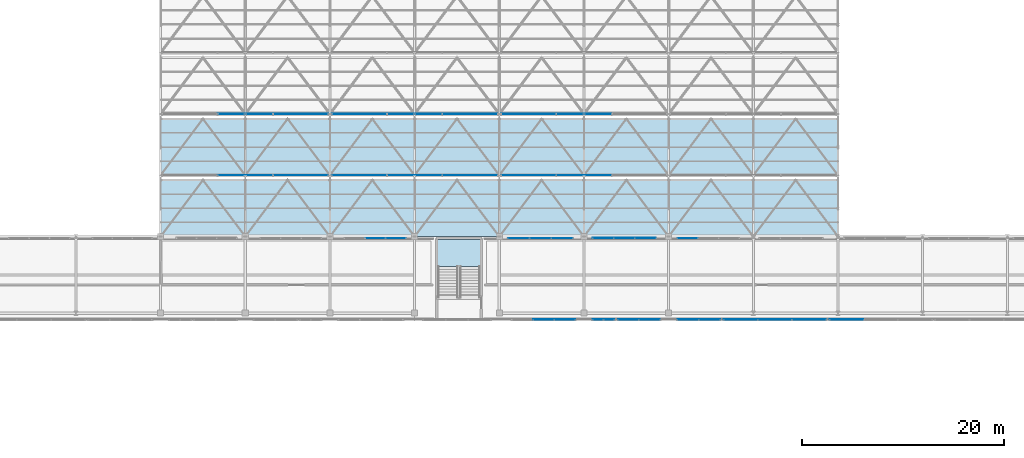
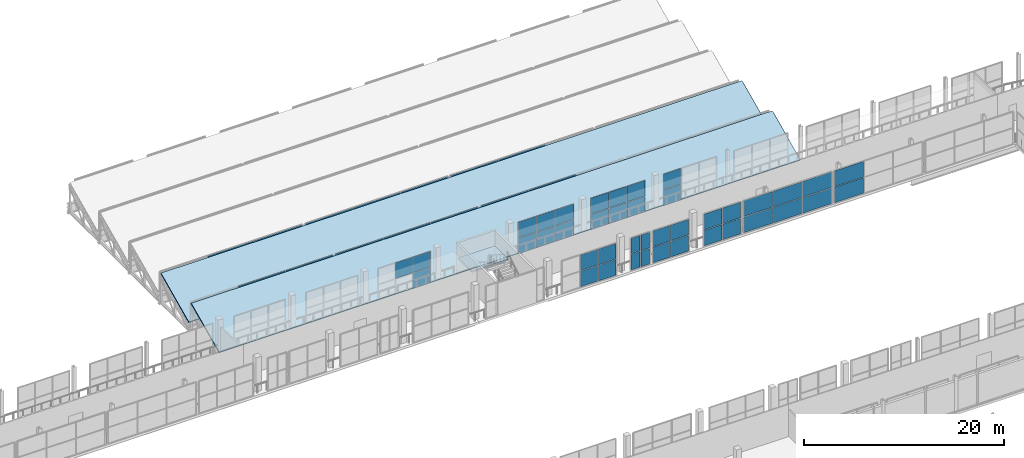
# One storey, part 171 of 217: 55 plates, 3 slabs, 17 elements without a shape of their own.
"""IFC4 building model written with IfcOpenShell, lengths in metres."""

import ifcopenshell
import ifcopenshell.guid

model = None  # the IFC model being written
_history = None  # IfcOwnerHistory: only IFC2X3 demands one
_inside = {}  # id of a spatial element -> (the spatial element, [elements in it])
_under = {}  # id of a project, library or spatial element -> (it, [spatial elements below it])
_declared = {}  # id of a project -> (the project, [libraries it declares])
_typed = {}  # id of a type object -> (the type object, [elements of that type])
_made_of = {}  # id of a material, layer set ... -> (it, [elements and type objects made of it])


def new_model(schema):
    """Start an empty IFC model of exactly this schema.

    Asked for "IFC4X3", IfcOpenShell would pick the latest addendum, in which some entities
    have other attributes; the version numbers below select the first issue.
    IFC2X3 requires an IfcOwnerHistory on every rooted entity: one is made here for all.
    """
    global model, _history
    if schema == "IFC4X3":
        model = ifcopenshell.file(schema_version=(4, 3, 0, 0))
    else:
        model = ifcopenshell.file(schema=schema)
    _inside.clear()
    _under.clear()
    _declared.clear()
    _typed.clear()
    _made_of.clear()
    _history = None
    if model.schema == "IFC2X3":
        org = make("IfcOrganization", Name="unknown")
        user = make(
            "IfcPersonAndOrganization",
            ThePerson=make("IfcPerson", FamilyName="unknown"),
            TheOrganization=org,
        )
        app = make(
            "IfcApplication",
            ApplicationDeveloper=org,
            Version="unknown",
            ApplicationFullName="unknown",
            ApplicationIdentifier="unknown",
        )
        _history = make(
            "IfcOwnerHistory",
            OwningUser=user,
            OwningApplication=app,
            ChangeAction="ADDED",
            CreationDate=0,
        )
    return model


def make(cls, **values):
    """One entity of the class cls with the attributes given. An attribute that is None is left unset."""
    return model.create_entity(
        cls, **{name: value for name, value in values.items() if value is not None}
    )


def rooted(cls, **values):
    """An entity with a GlobalId (a new one), such as an element, a storey or a relation."""
    return make(cls, GlobalId=ifcopenshell.guid.new(), OwnerHistory=_history, **values)


def si_unit(unit_type, name, prefix=None):
    """IfcSIUnit, for example si_unit("LENGTHUNIT", "METRE", prefix="MILLI")."""
    return make("IfcSIUnit", UnitType=unit_type, Prefix=prefix, Name=name)


def assignment(units):
    """IfcUnitAssignment: the units of a project."""
    return None if units is None else make("IfcUnitAssignment", Units=units)


def point(xyz):
    """IfcCartesianPoint."""
    return None if xyz is None else make("IfcCartesianPoint", Coordinates=xyz)


def direction(xyz):
    """IfcDirection."""
    return None if xyz is None else make("IfcDirection", DirectionRatios=xyz)


def frame(location, z_axis=None, x_axis=None):
    """IfcAxis2Placement3D, a coordinate frame: its origin and axes. An axis left out is left unset."""
    return make(
        "IfcAxis2Placement3D",
        Location=point(location),
        Axis=direction(z_axis),
        RefDirection=direction(x_axis),
    )


def frame_2d(location, x_axis=None):
    """IfcAxis2Placement2D, a coordinate frame in the plane: its origin and x axis."""
    return make(
        "IfcAxis2Placement2D", Location=point(location), RefDirection=direction(x_axis)
    )


def origin():
    """The frame at (0, 0, 0) with its axes left unset."""
    return frame((0.0, 0.0, 0.0))


def origin_2d():
    """The frame at (0, 0) in the plane with its x axis left unset."""
    return frame_2d((0.0, 0.0))


def place(relative_to, where):
    """IfcLocalPlacement: puts the frame where relative to a parent placement (None: the world)."""
    return make(
        "IfcLocalPlacement", PlacementRelTo=relative_to, RelativePlacement=where
    )


def context(
    kind, dimensions, precision=None, world=None, true_north=None, identifier=None
):
    """IfcGeometricRepresentationContext, for example the 3D "Model" context."""
    return make(
        "IfcGeometricRepresentationContext",
        ContextIdentifier=identifier,
        ContextType=kind,
        CoordinateSpaceDimension=dimensions,
        Precision=precision,
        WorldCoordinateSystem=world,
        TrueNorth=true_north,
    )


def subcontext(parent, identifier, kind, view, scale=None):
    """IfcGeometricRepresentationSubContext, for example "Body" below "Model"."""
    return make(
        "IfcGeometricRepresentationSubContext",
        ContextIdentifier=identifier,
        ContextType=kind,
        ParentContext=parent,
        TargetScale=scale,
        TargetView=view,
    )


def project(units=None, contexts=None):
    """IfcProject with its units and contexts."""
    return rooted(
        "IfcProject",
        Name="project",
        RepresentationContexts=contexts,
        UnitsInContext=assignment(units),
    )


def spatial(cls, under=None, at=None, **own):
    """A site, building, storey or space (cls), placed at a placement, below another one or the project."""
    s = rooted(cls, ObjectPlacement=at, **own)
    if under is not None:
        _under.setdefault(under.id(), (under, []))[1].append(s)
    return s


def polyline(points):
    """IfcPolyline through the points."""
    return make("IfcPolyline", Points=[point(p) for p in points])


def profile(cls, at=None, kind="AREA", **sizes):
    """A parametric profile (cls). Its sizes go by their IFC names, for example OverallWidth=200.0."""
    return make(cls, ProfileType=kind, Position=at, **sizes)


def rectangle(**sizes):
    """IfcRectangleProfileDef."""
    return profile("IfcRectangleProfileDef", **sizes)


def outline(outer, holes=None, kind="AREA"):
    """IfcArbitraryClosedProfileDef: a profile drawn as a closed curve; with holes, ...WithVoids."""
    if holes is None:
        return make("IfcArbitraryClosedProfileDef", ProfileType=kind, OuterCurve=outer)
    return make(
        "IfcArbitraryProfileDefWithVoids",
        ProfileType=kind,
        OuterCurve=outer,
        InnerCurves=holes,
    )


def extrude(swept, where, along, depth):
    """IfcExtrudedAreaSolid: the profile swept, set in the frame where, extruded along a direction by depth."""
    return make(
        "IfcExtrudedAreaSolid",
        SweptArea=swept,
        Position=where,
        ExtrudedDirection=direction(along),
        Depth=depth,
    )


def shape(context_of_items, identifier, shape_type, items):
    """IfcShapeRepresentation: the items that make up one representation, for example the "Body"."""
    return make(
        "IfcShapeRepresentation",
        ContextOfItems=context_of_items,
        RepresentationIdentifier=identifier,
        RepresentationType=shape_type,
        Items=items,
    )


def material(Name=None, Category=None):
    """IfcMaterial."""
    return make("IfcMaterial", Name=Name, Category=Category)


def layer(
    of_material, thickness, ventilated=None, Name=None, Category=None, Priority=None
):
    """IfcMaterialLayer: one layer of a wall or slab, of a material (None: an air gap)."""
    return make(
        "IfcMaterialLayer",
        Material=of_material,
        LayerThickness=thickness,
        IsVentilated=ventilated,
        Name=Name,
        Category=Category,
        Priority=Priority,
    )


def layer_set(layers, Name=None):
    """IfcMaterialLayerSet."""
    return make("IfcMaterialLayerSet", MaterialLayers=layers, LayerSetName=Name)


def made_of(thing, what):
    """Note that an element or type object is made of a material, layer set ...; save() writes the relation."""
    if what is not None:
        _made_of.setdefault(what.id(), (what, []))[1].append(thing)
    return thing


def type_object(cls, material=None, **own):
    """A type object (cls), such as IfcWallType, which elements share."""
    return made_of(rooted(cls, **own), material)


def element(
    cls,
    number,
    at=None,
    inside=None,
    cuts=None,
    type_object=None,
    material=None,
    context=None,
    identifier="Body",
    shape_type=None,
    held_by="IfcProductDefinitionShape",
    body=None,
    shapes=None,
    **own,
):
    """One element of the class cls, such as IfcWall. Its Tag is "e" and its number.

    at: its placement. inside: the storey or other place that contains it. cuts: it is an
    opening in that element (IfcRelVoidsElement). A single representation is given by context,
    identifier, shape_type and body (its items); several are given by shapes. held_by: the class
    of the entity that holds the representations. save() writes the other relations.
    """
    e = rooted(cls, Tag="e%d" % number, ObjectPlacement=at, **own)
    if body is not None:
        shapes = [shape(context, identifier, shape_type, body)]
    if shapes is not None:
        e.Representation = make(held_by, Representations=shapes)
    if inside is not None:
        _inside.setdefault(inside.id(), (inside, []))[1].append(e)
    if cuts is not None:
        rooted(
            "IfcRelVoidsElement", RelatingBuildingElement=cuts, RelatedOpeningElement=e
        )
    if type_object is not None:
        _typed.setdefault(type_object.id(), (type_object, []))[1].append(e)
    return made_of(e, material)


def aggregate(whole, parts):
    """IfcRelAggregates: a whole, such as a stair, and the parts it consists of."""
    return rooted("IfcRelAggregates", RelatingObject=whole, RelatedObjects=parts)


def save(model, path):
    """Write the relations noted so far, then the file.

    IfcRelAggregates (storeys below a building ...), IfcRelContainedInSpatialStructure (elements
    in a storey), IfcRelDefinesByType, IfcRelAssociatesMaterial and IfcRelDeclares: one each for
    every whole, place, type object, material and project.
    """
    for whole, parts in _under.values():
        aggregate(whole, parts)
    for where, things in _inside.values():
        rooted(
            "IfcRelContainedInSpatialStructure",
            RelatedElements=things,
            RelatingStructure=where,
        )
    for kind, things in _typed.values():
        rooted("IfcRelDefinesByType", RelatedObjects=things, RelatingType=kind)
    for what, things in _made_of.values():
        rooted("IfcRelAssociatesMaterial", RelatedObjects=things, RelatingMaterial=what)
    for by, libraries in _declared.values():
        rooted("IfcRelDeclares", RelatingContext=by, RelatedDefinitions=libraries)
    model.write(path)


model = new_model("IFC4")

# Units and contexts
model_context = context("Model", 3, precision=1e-05, world=origin(), true_north=direction((0.0, 1.0)))
body_context = subcontext(model_context, "Body", "Model", "MODEL_VIEW")
ifc_project = project(units=[si_unit("LENGTHUNIT", "METRE"), si_unit("AREAUNIT", "SQUARE_METRE"), si_unit("VOLUMEUNIT", "CUBIC_METRE"), si_unit("PLANEANGLEUNIT", "RADIAN"), si_unit("MASSUNIT", "GRAM", prefix="KILO")], contexts=[model_context])

# Site, building, storey
site_placement = place(None, origin())
site = spatial("IfcSite", under=ifc_project, at=site_placement, CompositionType="ELEMENT")
building_placement = place(site_placement, origin())
building = spatial("IfcBuilding", under=site, at=building_placement, Name="Zuvorla Pavilion Media Centre", CompositionType="ELEMENT")
storey_placement = place(building_placement, frame((0.0, 0.0, 9.60009765625)))
storey = spatial("IfcBuildingStorey", under=building, at=storey_placement, Name="L02", CompositionType="ELEMENT", Elevation=9.60009765625)

# Curtain wall, plates
ifc_material_1 = material(Name="Unitised anodised aluminium and solar glass curtain wall", Category="aluminium")
curtain_wall_type_1 = type_object("IfcCurtainWallType", Name="CW-SYS-13", PredefinedType="USERDEFINED", material=ifc_material_1)
curtain_wall_1_placement = place(storey_placement, origin())
curtain_wall_1 = element("IfcCurtainWall", 1, at=curtain_wall_1_placement, inside=storey, type_object=curtain_wall_type_1, Name="L02 curtain wall CW13 18", ObjectType="CURTAIN WALL", PredefinedType="USERDEFINED")
ifc_material_2 = material(Name="Solar control double glazing", Category="glass")
ifc_layer_1 = layer(ifc_material_2, 0.028076171875)
ifc_layer_set_1 = layer_set([ifc_layer_1], Name="Solar control double glazing")
plate_type_1 = type_object("IfcPlateType", Name="CW-PNL-28", PredefinedType="CURTAIN_PANEL", material=ifc_layer_set_1)
plate_1_placement = place(storey_placement, frame((106.62255859375, 89.43994140625, 0.02978515625), z_axis=(0.0, 0.0, 1.0), x_axis=(-1.0, 0.0, 0.0)))
plate_1 = element("IfcPlate", 2, at=plate_1_placement, type_object=plate_type_1, Name="CW13 panel 1.1", PredefinedType="CURTAIN_PANEL", context=body_context, shape_type="SweptSolid", body=[
    extrude(rectangle(XDim=2.0888671875, YDim=0.028076171875, at=origin_2d()), origin(), (0.0, 0.0, 1.0), 1.9150390625),
])
plate_2_placement = place(storey_placement, frame((106.62255859375, 89.43994140625, 2.0048828125), z_axis=(0.0, 0.0, 1.0), x_axis=(-1.0, 0.0, 0.0)))
plate_2 = element("IfcPlate", 3, at=plate_2_placement, type_object=plate_type_1, Name="CW13 panel 1.2", PredefinedType="CURTAIN_PANEL", context=body_context, shape_type="SweptSolid", body=[
    extrude(rectangle(XDim=2.0888671875, YDim=0.028076171875, at=origin_2d()), origin(), (0.0, 0.0, 1.0), 1.9150390625),
])
plate_3_placement = place(storey_placement, frame((104.4736328125, 89.43994140625, 0.02978515625), z_axis=(0.0, 0.0, 1.0), x_axis=(-1.0, 0.0, 0.0)))
plate_3 = element("IfcPlate", 4, at=plate_3_placement, type_object=plate_type_1, Name="CW13 panel 2.1", PredefinedType="CURTAIN_PANEL", context=body_context, shape_type="SweptSolid", body=[
    extrude(rectangle(XDim=2.0888671875, YDim=0.028076171875, at=origin_2d()), origin(), (0.0, 0.0, 1.0), 1.9150390625),
])
plate_4_placement = place(storey_placement, frame((104.4736328125, 89.43994140625, 2.0048828125), z_axis=(0.0, 0.0, 1.0), x_axis=(-1.0, 0.0, 0.0)))
plate_4 = element("IfcPlate", 5, at=plate_4_placement, type_object=plate_type_1, Name="CW13 panel 2.2", PredefinedType="CURTAIN_PANEL", context=body_context, shape_type="SweptSolid", body=[
    extrude(rectangle(XDim=2.0888671875, YDim=0.028076171875, at=origin_2d()), origin(), (0.0, 0.0, 1.0), 1.9150390625),
])
plate_5_placement = place(storey_placement, frame((102.32470703125, 89.43994140625, 0.02978515625), z_axis=(0.0, 0.0, 1.0), x_axis=(-1.0, 0.0, 0.0)))
plate_5 = element("IfcPlate", 6, at=plate_5_placement, type_object=plate_type_1, Name="CW13 panel 3.1", PredefinedType="CURTAIN_PANEL", context=body_context, shape_type="SweptSolid", body=[
    extrude(rectangle(XDim=2.0888671875, YDim=0.028076171875, at=origin_2d()), origin(), (0.0, 0.0, 1.0), 1.9150390625),
])
plate_6_placement = place(storey_placement, frame((102.32470703125, 89.43994140625, 2.0048828125), z_axis=(0.0, 0.0, 1.0), x_axis=(-1.0, 0.0, 0.0)))
plate_6 = element("IfcPlate", 7, at=plate_6_placement, type_object=plate_type_1, Name="CW13 panel 3.2", PredefinedType="CURTAIN_PANEL", context=body_context, shape_type="SweptSolid", body=[
    extrude(rectangle(XDim=2.0888671875, YDim=0.028076171875, at=origin_2d()), origin(), (0.0, 0.0, 1.0), 1.9150390625),
])
aggregate(curtain_wall_1, [plate_1, plate_2, plate_3, plate_4, plate_5, plate_6])

curtain_wall_type_2 = type_object("IfcCurtainWallType", Name="CW-SYS-14", PredefinedType="USERDEFINED", material=ifc_material_1)
curtain_wall_2_placement = place(storey_placement, origin())
curtain_wall_2 = element("IfcCurtainWall", 8, at=curtain_wall_2_placement, inside=storey, type_object=curtain_wall_type_2, Name="L02 curtain wall CW14 19", ObjectType="CURTAIN WALL", PredefinedType="USERDEFINED")
plate_7_placement = place(storey_placement, frame((90.130615234375, 89.43994140625, 0.02978515625), z_axis=(0.0, 0.0, 1.0), x_axis=(-1.0, 0.0, 0.0)))
plate_7 = element("IfcPlate", 9, at=plate_7_placement, type_object=plate_type_1, Name="CW14 panel 1.1", PredefinedType="CURTAIN_PANEL", context=body_context, shape_type="SweptSolid", body=[
    extrude(rectangle(XDim=1.978271484375, YDim=0.028076171875, at=origin_2d()), origin(), (0.0, 0.0, 1.0), 1.9150390625),
])
plate_8_placement = place(storey_placement, frame((90.130615234375, 89.43994140625, 2.0048828125), z_axis=(0.0, 0.0, 1.0), x_axis=(-1.0, 0.0, 0.0)))
plate_8 = element("IfcPlate", 10, at=plate_8_placement, type_object=plate_type_1, Name="CW14 panel 1.2", PredefinedType="CURTAIN_PANEL", context=body_context, shape_type="SweptSolid", body=[
    extrude(rectangle(XDim=1.978271484375, YDim=0.028076171875, at=origin_2d()), origin(), (0.0, 0.0, 1.0), 1.9150390625),
])
plate_9_placement = place(storey_placement, frame((88.09228515625, 89.43994140625, 2.0048828125), z_axis=(0.0, 0.0, 1.0), x_axis=(-1.0, 0.0, 0.0)))
plate_9 = element("IfcPlate", 11, at=plate_9_placement, type_object=plate_type_1, Name="CW14 panel 2.2", PredefinedType="CURTAIN_PANEL", context=body_context, shape_type="SweptSolid", body=[
    extrude(rectangle(XDim=1.978271484375, YDim=0.028076171875, at=origin_2d()), origin(), (0.0, 0.0, 1.0), 1.9150390625),
])
aggregate(curtain_wall_2, [plate_7, plate_8, plate_9])

curtain_wall_type_3 = type_object("IfcCurtainWallType", Name="CW-SYS-51", PredefinedType="USERDEFINED", material=ifc_material_1)
curtain_wall_3_placement = place(storey_placement, origin())
curtain_wall_3 = element("IfcCurtainWall", 12, at=curtain_wall_3_placement, inside=storey, type_object=curtain_wall_type_3, Name="L02 curtain wall CW51 77", ObjectType="CURTAIN WALL", PredefinedType="USERDEFINED")
plate_10_placement = place(storey_placement, frame((121.267578125, 81.360107421875, 0.02978515625), z_axis=(0.0, 0.0, 1.0), x_axis=(-1.0, 0.0, 0.0)))
plate_10 = element("IfcPlate", 13, at=plate_10_placement, type_object=plate_type_1, Name="CW51 panel 1.1", PredefinedType="CURTAIN_PANEL", context=body_context, shape_type="SweptSolid", body=[
    extrude(rectangle(XDim=2.0849609375, YDim=0.028076171875, at=origin_2d()), origin(), (0.0, 0.0, 1.0), 1.9150390625),
])
plate_11_placement = place(storey_placement, frame((121.267578125, 81.360107421875, 2.0048828125), z_axis=(0.0, 0.0, 1.0), x_axis=(-1.0, 0.0, 0.0)))
plate_11 = element("IfcPlate", 14, at=plate_11_placement, type_object=plate_type_1, Name="CW51 panel 1.2", PredefinedType="CURTAIN_PANEL", context=body_context, shape_type="SweptSolid", body=[
    extrude(rectangle(XDim=2.0849609375, YDim=0.028076171875, at=origin_2d()), origin(), (0.0, 0.0, 1.0), 1.9150390625),
])
plate_12_placement = place(storey_placement, frame((119.122802734375, 81.360107421875, 0.02978515625), z_axis=(0.0, 0.0, 1.0), x_axis=(-1.0, 0.0, 0.0)))
plate_12 = element("IfcPlate", 15, at=plate_12_placement, type_object=plate_type_1, Name="CW51 panel 2.1", PredefinedType="CURTAIN_PANEL", context=body_context, shape_type="SweptSolid", body=[
    extrude(rectangle(XDim=2.0849609375, YDim=0.028076171875, at=origin_2d()), origin(), (0.0, 0.0, 1.0), 1.9150390625),
])
plate_13_placement = place(storey_placement, frame((119.122802734375, 81.360107421875, 2.0048828125), z_axis=(0.0, 0.0, 1.0), x_axis=(-1.0, 0.0, 0.0)))
plate_13 = element("IfcPlate", 16, at=plate_13_placement, type_object=plate_type_1, Name="CW51 panel 2.2", PredefinedType="CURTAIN_PANEL", context=body_context, shape_type="SweptSolid", body=[
    extrude(rectangle(XDim=2.0849609375, YDim=0.028076171875, at=origin_2d()), origin(), (0.0, 0.0, 1.0), 1.9150390625),
])
aggregate(curtain_wall_3, [plate_10, plate_11, plate_12, plate_13])

curtain_wall_type_4 = type_object("IfcCurtainWallType", Name="CW-SYS-52", PredefinedType="USERDEFINED", material=ifc_material_1)
curtain_wall_4_placement = place(storey_placement, origin())
curtain_wall_4 = element("IfcCurtainWall", 17, at=curtain_wall_4_placement, inside=storey, type_object=curtain_wall_type_4, Name="L02 curtain wall CW52 78", ObjectType="CURTAIN WALL", PredefinedType="USERDEFINED")
plate_14_placement = place(storey_placement, frame((115.30224609375, 81.360107421875, 0.02978515625), z_axis=(0.0, 0.0, 1.0), x_axis=(-1.0, 0.0, 0.0)))
plate_14 = element("IfcPlate", 18, at=plate_14_placement, type_object=plate_type_1, Name="CW52 panel 1.1", PredefinedType="CURTAIN_PANEL", context=body_context, shape_type="SweptSolid", body=[
    extrude(rectangle(XDim=2.034912109375, YDim=0.028076171875, at=origin_2d()), origin(), (0.0, 0.0, 1.0), 1.9150390625),
])
plate_15_placement = place(storey_placement, frame((115.30224609375, 81.360107421875, 2.0048828125), z_axis=(0.0, 0.0, 1.0), x_axis=(-1.0, 0.0, 0.0)))
plate_15 = element("IfcPlate", 19, at=plate_15_placement, type_object=plate_type_1, Name="CW52 panel 1.2", PredefinedType="CURTAIN_PANEL", context=body_context, shape_type="SweptSolid", body=[
    extrude(rectangle(XDim=2.034912109375, YDim=0.028076171875, at=origin_2d()), origin(), (0.0, 0.0, 1.0), 1.9150390625),
])
plate_16_placement = place(storey_placement, frame((113.20751953125, 81.360107421875, 0.02978515625), z_axis=(0.0, 0.0, 1.0), x_axis=(-1.0, 0.0, 0.0)))
plate_16 = element("IfcPlate", 20, at=plate_16_placement, type_object=plate_type_1, Name="CW52 panel 2.1", PredefinedType="CURTAIN_PANEL", context=body_context, shape_type="SweptSolid", body=[
    extrude(rectangle(XDim=2.034912109375, YDim=0.028076171875, at=origin_2d()), origin(), (0.0, 0.0, 1.0), 1.9150390625),
])
plate_17_placement = place(storey_placement, frame((113.20751953125, 81.360107421875, 2.0048828125), z_axis=(0.0, 0.0, 1.0), x_axis=(-1.0, 0.0, 0.0)))
plate_17 = element("IfcPlate", 21, at=plate_17_placement, type_object=plate_type_1, Name="CW52 panel 2.2", PredefinedType="CURTAIN_PANEL", context=body_context, shape_type="SweptSolid", body=[
    extrude(rectangle(XDim=2.034912109375, YDim=0.028076171875, at=origin_2d()), origin(), (0.0, 0.0, 1.0), 1.9150390625),
])
aggregate(curtain_wall_4, [plate_14, plate_15, plate_16, plate_17])

curtain_wall_type_5 = type_object("IfcCurtainWallType", Name="CW-SYS-11", PredefinedType="USERDEFINED", material=ifc_material_1)
curtain_wall_5_placement = place(storey_placement, origin())
curtain_wall_5 = element("IfcCurtainWall", 22, at=curtain_wall_5_placement, inside=storey, type_object=curtain_wall_type_5, Name="L02 curtain wall CW11 16", ObjectType="CURTAIN WALL", PredefinedType="USERDEFINED")
ifc_material_3 = material(Name="Acoustic laminated solar glazing", Category="glass")
ifc_layer_2 = layer(ifc_material_3, 0.033935546875)
ifc_layer_set_2 = layer_set([ifc_layer_2], Name="Acoustic laminated solar glazing")
plate_type_2 = type_object("IfcPlateType", Name="CW-PNL-34", PredefinedType="CURTAIN_PANEL", material=ifc_layer_set_2)
plate_18_placement = place(storey_placement, frame((119.0771484375, 89.43994140625, 0.02978515625), z_axis=(0.0, 0.0, 1.0), x_axis=(-1.0, 0.0, 0.0)))
plate_18 = element("IfcPlate", 23, at=plate_18_placement, type_object=plate_type_2, Name="CW11 panel 3.1", PredefinedType="CURTAIN_PANEL", context=body_context, shape_type="SweptSolid", body=[
    extrude(rectangle(XDim=1.99365234375, YDim=0.033935546875, at=origin_2d()), origin(), (0.0, 0.0, 1.0), 1.9150390625),
])
plate_19_placement = place(storey_placement, frame((119.0771484375, 89.43994140625, 2.0048828125), z_axis=(0.0, 0.0, 1.0), x_axis=(-1.0, 0.0, 0.0)))
plate_19 = element("IfcPlate", 24, at=plate_19_placement, type_object=plate_type_2, Name="CW11 panel 3.2", PredefinedType="CURTAIN_PANEL", context=body_context, shape_type="SweptSolid", body=[
    extrude(rectangle(XDim=1.99365234375, YDim=0.033935546875, at=origin_2d()), origin(), (0.0, 0.0, 1.0), 1.9150390625),
])
aggregate(curtain_wall_5, [plate_18, plate_19])

curtain_wall_type_6 = type_object("IfcCurtainWallType", Name="CW-SYS-30", PredefinedType="USERDEFINED", material=ifc_material_1)
curtain_wall_6_placement = place(storey_placement, origin())
curtain_wall_6 = element("IfcCurtainWall", 25, at=curtain_wall_6_placement, inside=storey, type_object=curtain_wall_type_6, Name="L02 curtain wall CW30 81", ObjectType="CURTAIN WALL", PredefinedType="USERDEFINED")
plate_20_placement = place(storey_placement, frame((131.143310546875, 81.360107421875, 0.02978515625), z_axis=(0.0, 0.0, 1.0), x_axis=(-1.0, 0.0, 0.0)))
plate_20 = element("IfcPlate", 26, at=plate_20_placement, type_object=plate_type_2, Name="CW30 panel 1.1", PredefinedType="CURTAIN_PANEL", context=body_context, shape_type="SweptSolid", body=[
    extrude(rectangle(XDim=3.333251953125, YDim=0.033935546875, at=origin_2d()), origin(), (0.0, 0.0, 1.0), 1.9150390625),
])
plate_21_placement = place(storey_placement, frame((131.143310546875, 81.360107421875, 2.0048828125), z_axis=(0.0, 0.0, 1.0), x_axis=(-1.0, 0.0, 0.0)))
plate_21 = element("IfcPlate", 27, at=plate_21_placement, type_object=plate_type_2, Name="CW30 panel 1.2", PredefinedType="CURTAIN_PANEL", context=body_context, shape_type="SweptSolid", body=[
    extrude(rectangle(XDim=3.333251953125, YDim=0.033935546875, at=origin_2d()), origin(), (0.0, 0.0, 1.0), 1.9150390625),
])
plate_22_placement = place(storey_placement, frame((127.75, 81.360107421875, 0.02978515625), z_axis=(0.0, 0.0, 1.0), x_axis=(-1.0, 0.0, 0.0)))
plate_22 = element("IfcPlate", 28, at=plate_22_placement, type_object=plate_type_2, Name="CW30 panel 2.1", PredefinedType="CURTAIN_PANEL", context=body_context, shape_type="SweptSolid", body=[
    extrude(rectangle(XDim=3.333251953125, YDim=0.033935546875, at=origin_2d()), origin(), (0.0, 0.0, 1.0), 1.9150390625),
])
plate_23_placement = place(storey_placement, frame((127.75, 81.360107421875, 2.0048828125), z_axis=(0.0, 0.0, 1.0), x_axis=(-1.0, 0.0, 0.0)))
plate_23 = element("IfcPlate", 29, at=plate_23_placement, type_object=plate_type_2, Name="CW30 panel 2.2", PredefinedType="CURTAIN_PANEL", context=body_context, shape_type="SweptSolid", body=[
    extrude(rectangle(XDim=3.333251953125, YDim=0.033935546875, at=origin_2d()), origin(), (0.0, 0.0, 1.0), 1.9150390625),
])
plate_24_placement = place(storey_placement, frame((124.356689453125, 81.360107421875, 0.02978515625), z_axis=(0.0, 0.0, 1.0), x_axis=(-1.0, 0.0, 0.0)))
plate_24 = element("IfcPlate", 30, at=plate_24_placement, type_object=plate_type_2, Name="CW30 panel 3.1", PredefinedType="CURTAIN_PANEL", context=body_context, shape_type="SweptSolid", body=[
    extrude(rectangle(XDim=3.333251953125, YDim=0.033935546875, at=origin_2d()), origin(), (0.0, 0.0, 1.0), 1.9150390625),
])
plate_25_placement = place(storey_placement, frame((124.356689453125, 81.360107421875, 2.0048828125), z_axis=(0.0, 0.0, 1.0), x_axis=(-1.0, 0.0, 0.0)))
plate_25 = element("IfcPlate", 31, at=plate_25_placement, type_object=plate_type_2, Name="CW30 panel 3.2", PredefinedType="CURTAIN_PANEL", context=body_context, shape_type="SweptSolid", body=[
    extrude(rectangle(XDim=3.333251953125, YDim=0.033935546875, at=origin_2d()), origin(), (0.0, 0.0, 1.0), 1.9150390625),
])
aggregate(curtain_wall_6, [plate_20, plate_21, plate_22, plate_23, plate_24, plate_25])

curtain_wall_type_7 = type_object("IfcCurtainWallType", Name="CW-SYS-12", PredefinedType="USERDEFINED", material=ifc_material_1)
curtain_wall_7_placement = place(storey_placement, origin())
curtain_wall_7 = element("IfcCurtainWall", 32, at=curtain_wall_7_placement, inside=storey, type_object=curtain_wall_type_7, Name="L02 curtain wall CW12 17", ObjectType="CURTAIN WALL", PredefinedType="USERDEFINED")
ifc_material_4 = material(Name="Triple acoustic broadcast glazing", Category="glass")
ifc_layer_3 = layer(ifc_material_4, 0.0419921875)
ifc_layer_set_3 = layer_set([ifc_layer_3], Name="Triple acoustic broadcast glazing")
plate_type_3 = type_object("IfcPlateType", Name="CW-PNL-42", PredefinedType="CURTAIN_PANEL", material=ifc_layer_set_3)
plate_26_placement = place(storey_placement, frame((114.903564453125, 89.43994140625, 0.02978515625), z_axis=(0.0, 0.0, 1.0), x_axis=(-1.0, 0.0, 0.0)))
plate_26 = element("IfcPlate", 33, at=plate_26_placement, type_object=plate_type_3, Name="CW12 panel 1.1", PredefinedType="CURTAIN_PANEL", context=body_context, shape_type="SweptSolid", body=[
    extrude(rectangle(XDim=2.041259765625, YDim=0.0419921875, at=origin_2d()), origin(), (0.0, 0.0, 1.0), 1.9150390625),
])
plate_27_placement = place(storey_placement, frame((114.903564453125, 89.43994140625, 2.0048828125), z_axis=(0.0, 0.0, 1.0), x_axis=(-1.0, 0.0, 0.0)))
plate_27 = element("IfcPlate", 34, at=plate_27_placement, type_object=plate_type_3, Name="CW12 panel 1.2", PredefinedType="CURTAIN_PANEL", context=body_context, shape_type="SweptSolid", body=[
    extrude(rectangle(XDim=2.041259765625, YDim=0.0419921875, at=origin_2d()), origin(), (0.0, 0.0, 1.0), 1.9150390625),
])
plate_28_placement = place(storey_placement, frame((112.80224609375, 89.43994140625, 0.02978515625), z_axis=(0.0, 0.0, 1.0), x_axis=(-1.0, 0.0, 0.0)))
plate_28 = element("IfcPlate", 35, at=plate_28_placement, type_object=plate_type_3, Name="CW12 panel 2.1", PredefinedType="CURTAIN_PANEL", context=body_context, shape_type="SweptSolid", body=[
    extrude(rectangle(XDim=2.041259765625, YDim=0.0419921875, at=origin_2d()), origin(), (0.0, 0.0, 1.0), 1.9150390625),
])
plate_29_placement = place(storey_placement, frame((112.80224609375, 89.43994140625, 2.0048828125), z_axis=(0.0, 0.0, 1.0), x_axis=(-1.0, 0.0, 0.0)))
plate_29 = element("IfcPlate", 36, at=plate_29_placement, type_object=plate_type_3, Name="CW12 panel 2.2", PredefinedType="CURTAIN_PANEL", context=body_context, shape_type="SweptSolid", body=[
    extrude(rectangle(XDim=2.041259765625, YDim=0.0419921875, at=origin_2d()), origin(), (0.0, 0.0, 1.0), 1.9150390625),
])
plate_30_placement = place(storey_placement, frame((110.700927734375, 89.43994140625, 0.02978515625), z_axis=(0.0, 0.0, 1.0), x_axis=(-1.0, 0.0, 0.0)))
plate_30 = element("IfcPlate", 37, at=plate_30_placement, type_object=plate_type_3, Name="CW12 panel 3.1", PredefinedType="CURTAIN_PANEL", context=body_context, shape_type="SweptSolid", body=[
    extrude(rectangle(XDim=2.041259765625, YDim=0.0419921875, at=origin_2d()), origin(), (0.0, 0.0, 1.0), 1.9150390625),
])
plate_31_placement = place(storey_placement, frame((110.700927734375, 89.43994140625, 2.0048828125), z_axis=(0.0, 0.0, 1.0), x_axis=(-1.0, 0.0, 0.0)))
plate_31 = element("IfcPlate", 38, at=plate_31_placement, type_object=plate_type_3, Name="CW12 panel 3.2", PredefinedType="CURTAIN_PANEL", context=body_context, shape_type="SweptSolid", body=[
    extrude(rectangle(XDim=2.041259765625, YDim=0.0419921875, at=origin_2d()), origin(), (0.0, 0.0, 1.0), 1.9150390625),
])
aggregate(curtain_wall_7, [plate_26, plate_27, plate_28, plate_29, plate_30, plate_31])

curtain_wall_type_8 = type_object("IfcCurtainWallType", Name="CW-SYS-50", PredefinedType="USERDEFINED", material=ifc_material_1)
curtain_wall_8_placement = place(storey_placement, origin())
curtain_wall_8 = element("IfcCurtainWall", 39, at=curtain_wall_8_placement, inside=storey, type_object=curtain_wall_type_8, Name="L02 curtain wall CW50 73", ObjectType="CURTAIN WALL", PredefinedType="USERDEFINED")
plate_32_placement = place(storey_placement, frame((111.29248046875, 81.360107421875, 0.02978515625), z_axis=(0.0, 0.0, 1.0), x_axis=(-1.0, 0.0, 0.0)))
plate_32 = element("IfcPlate", 40, at=plate_32_placement, type_object=plate_type_3, Name="CW50 panel 1.1", PredefinedType="CURTAIN_PANEL", context=body_context, shape_type="SweptSolid", body=[
    extrude(rectangle(XDim=1.034912109375, YDim=0.0419921875, at=origin_2d()), origin(), (0.0, 0.0, 1.0), 1.9150390625),
])
plate_33_placement = place(storey_placement, frame((111.29248046875, 81.360107421875, 2.0048828125), z_axis=(0.0, 0.0, 1.0), x_axis=(-1.0, 0.0, 0.0)))
plate_33 = element("IfcPlate", 41, at=plate_33_placement, type_object=plate_type_3, Name="CW50 panel 1.2", PredefinedType="CURTAIN_PANEL", context=body_context, shape_type="SweptSolid", body=[
    extrude(rectangle(XDim=1.034912109375, YDim=0.0419921875, at=origin_2d()), origin(), (0.0, 0.0, 1.0), 1.9150390625),
])
plate_34_placement = place(storey_placement, frame((110.19775390625, 81.360107421875, 0.02978515625), z_axis=(0.0, 0.0, 1.0), x_axis=(-1.0, 0.0, 0.0)))
plate_34 = element("IfcPlate", 42, at=plate_34_placement, type_object=plate_type_3, Name="CW50 panel 2.1", PredefinedType="CURTAIN_PANEL", context=body_context, shape_type="SweptSolid", body=[
    extrude(rectangle(XDim=1.034912109375, YDim=0.0419921875, at=origin_2d()), origin(), (0.0, 0.0, 1.0), 1.9150390625),
])
plate_35_placement = place(storey_placement, frame((110.19775390625, 81.360107421875, 2.0048828125), z_axis=(0.0, 0.0, 1.0), x_axis=(-1.0, 0.0, 0.0)))
plate_35 = element("IfcPlate", 43, at=plate_35_placement, type_object=plate_type_3, Name="CW50 panel 2.2", PredefinedType="CURTAIN_PANEL", context=body_context, shape_type="SweptSolid", body=[
    extrude(rectangle(XDim=1.034912109375, YDim=0.0419921875, at=origin_2d()), origin(), (0.0, 0.0, 1.0), 1.9150390625),
])
aggregate(curtain_wall_8, [plate_32, plate_33, plate_34, plate_35])

curtain_wall_9_placement = place(storey_placement, origin())
curtain_wall_9 = element("IfcCurtainWall", 44, at=curtain_wall_9_placement, inside=storey, type_object=curtain_wall_type_7, Name="L02 curtain wall CW12 74", ObjectType="CURTAIN WALL", PredefinedType="USERDEFINED")
plate_36_placement = place(storey_placement, frame((106.9013671875, 81.360107421875, 0.02978515625), z_axis=(0.0, 0.0, 1.0), x_axis=(-1.0, 0.0, 0.0)))
plate_36 = element("IfcPlate", 45, at=plate_36_placement, type_object=plate_type_3, Name="CW12 panel 1.1", PredefinedType="CURTAIN_PANEL", context=body_context, shape_type="SweptSolid", body=[
    extrude(rectangle(XDim=2.03662109375, YDim=0.0419921875, at=origin_2d()), origin(), (0.0, 0.0, 1.0), 1.9150390625),
])
plate_37_placement = place(storey_placement, frame((106.9013671875, 81.360107421875, 2.0048828125), z_axis=(0.0, 0.0, 1.0), x_axis=(-1.0, 0.0, 0.0)))
plate_37 = element("IfcPlate", 46, at=plate_37_placement, type_object=plate_type_3, Name="CW12 panel 1.2", PredefinedType="CURTAIN_PANEL", context=body_context, shape_type="SweptSolid", body=[
    extrude(rectangle(XDim=2.03662109375, YDim=0.0419921875, at=origin_2d()), origin(), (0.0, 0.0, 1.0), 1.9150390625),
])
plate_38_placement = place(storey_placement, frame((104.804931640625, 81.360107421875, 0.02978515625), z_axis=(0.0, 0.0, 1.0), x_axis=(-1.0, 0.0, 0.0)))
plate_38 = element("IfcPlate", 47, at=plate_38_placement, type_object=plate_type_3, Name="CW12 panel 2.1", PredefinedType="CURTAIN_PANEL", context=body_context, shape_type="SweptSolid", body=[
    extrude(rectangle(XDim=2.03662109375, YDim=0.0419921875, at=origin_2d()), origin(), (0.0, 0.0, 1.0), 1.9150390625),
])
plate_39_placement = place(storey_placement, frame((104.804931640625, 81.360107421875, 2.0048828125), z_axis=(0.0, 0.0, 1.0), x_axis=(-1.0, 0.0, 0.0)))
plate_39 = element("IfcPlate", 48, at=plate_39_placement, type_object=plate_type_3, Name="CW12 panel 2.2", PredefinedType="CURTAIN_PANEL", context=body_context, shape_type="SweptSolid", body=[
    extrude(rectangle(XDim=2.03662109375, YDim=0.0419921875, at=origin_2d()), origin(), (0.0, 0.0, 1.0), 1.9150390625),
])
aggregate(curtain_wall_9, [plate_36, plate_37, plate_38, plate_39])

curtain_wall_type_9 = type_object("IfcCurtainWallType", Name="CW-SYS-33", PredefinedType="USERDEFINED", material=ifc_material_1)
curtain_wall_10_placement = place(storey_placement, origin())
curtain_wall_10 = element("IfcCurtainWall", 49, at=curtain_wall_10_placement, inside=storey, type_object=curtain_wall_type_9, Name="L02 curtain wall CW33 83", ObjectType="CURTAIN WALL", PredefinedType="USERDEFINED")
plate_40_placement = place(storey_placement, frame((134.856689453125, 81.360107421875, 0.02978515625), z_axis=(0.0, 0.0, 1.0), x_axis=(-1.0, 0.0, 0.0)))
plate_40 = element("IfcPlate", 50, at=plate_40_placement, type_object=plate_type_3, Name="CW33 panel 3.1", PredefinedType="CURTAIN_PANEL", context=body_context, shape_type="SweptSolid", body=[
    extrude(rectangle(XDim=3.333251953125, YDim=0.0419921875, at=origin_2d()), origin(), (0.0, 0.0, 1.0), 1.9150390625),
])
plate_41_placement = place(storey_placement, frame((134.856689453125, 81.360107421875, 2.0048828125), z_axis=(0.0, 0.0, 1.0), x_axis=(-1.0, 0.0, 0.0)))
plate_41 = element("IfcPlate", 51, at=plate_41_placement, type_object=plate_type_3, Name="CW33 panel 3.2", PredefinedType="CURTAIN_PANEL", context=body_context, shape_type="SweptSolid", body=[
    extrude(rectangle(XDim=3.333251953125, YDim=0.0419921875, at=origin_2d()), origin(), (0.0, 0.0, 1.0), 1.9150390625),
])
aggregate(curtain_wall_10, [plate_40, plate_41])

curtain_wall_type_10 = type_object("IfcCurtainWallType", Name="CW-SYS-88", PredefinedType="USERDEFINED", material=ifc_material_1)
curtain_wall_11_placement = place(storey_placement, origin())
curtain_wall_11 = element("IfcCurtainWall", 52, at=curtain_wall_11_placement, inside=storey, type_object=curtain_wall_type_10, Name="L02 curtain wall CW88 200", ObjectType="CURTAIN WALL", PredefinedType="USERDEFINED")
plate_42_placement = place(storey_placement, frame((75.199951171875, 95.679931640625, 0.02978515625), z_axis=(0.0, 0.0, 1.0), x_axis=(1.0, 0.0, 0.0)))
plate_42 = element("IfcPlate", 53, at=plate_42_placement, type_object=plate_type_3, Name="CW88 panel 2.1", PredefinedType="CURTAIN_PANEL", context=body_context, shape_type="SweptSolid", body=[
    extrude(rectangle(XDim=5.433349609375, YDim=0.0419921875, at=origin_2d()), origin(), (0.0, 0.0, 1.0), 2.360107421875),
])
plate_43_placement = place(storey_placement, frame((80.693359375, 95.679931640625, 0.02978515625), z_axis=(0.0, 0.0, 1.0), x_axis=(1.0, 0.0, 0.0)))
plate_43 = element("IfcPlate", 54, at=plate_43_placement, type_object=plate_type_3, Name="CW88 panel 3.1", PredefinedType="CURTAIN_PANEL", context=body_context, shape_type="SweptSolid", body=[
    extrude(rectangle(XDim=5.433349609375, YDim=0.0419921875, at=origin_2d()), origin(), (0.0, 0.0, 1.0), 2.360107421875),
])
aggregate(curtain_wall_11, [plate_42, plate_43])

curtain_wall_12_placement = place(storey_placement, origin())
curtain_wall_12 = element("IfcCurtainWall", 55, at=curtain_wall_12_placement, inside=storey, type_object=curtain_wall_type_10, Name="L02 curtain wall CW88 201", ObjectType="CURTAIN WALL", PredefinedType="USERDEFINED")
plate_44_placement = place(storey_placement, frame((86.506591796875, 95.679931640625, 0.02978515625), z_axis=(0.0, 0.0, 1.0), x_axis=(1.0, 0.0, 0.0)))
plate_44 = element("IfcPlate", 56, at=plate_44_placement, type_object=plate_type_3, Name="CW88 panel 1.1", PredefinedType="CURTAIN_PANEL", context=body_context, shape_type="SweptSolid", body=[
    extrude(rectangle(XDim=5.433349609375, YDim=0.0419921875, at=origin_2d()), origin(), (0.0, 0.0, 1.0), 2.360107421875),
])
plate_45_placement = place(storey_placement, frame((92.0, 95.679931640625, 0.02978515625), z_axis=(0.0, 0.0, 1.0), x_axis=(1.0, 0.0, 0.0)))
plate_45 = element("IfcPlate", 57, at=plate_45_placement, type_object=plate_type_3, Name="CW88 panel 2.1", PredefinedType="CURTAIN_PANEL", context=body_context, shape_type="SweptSolid", body=[
    extrude(rectangle(XDim=5.433349609375, YDim=0.0419921875, at=origin_2d()), origin(), (0.0, 0.0, 1.0), 2.360107421875),
])
plate_46_placement = place(storey_placement, frame((97.493408203125, 95.679931640625, 0.02978515625), z_axis=(0.0, 0.0, 1.0), x_axis=(1.0, 0.0, 0.0)))
plate_46 = element("IfcPlate", 58, at=plate_46_placement, type_object=plate_type_3, Name="CW88 panel 3.1", PredefinedType="CURTAIN_PANEL", context=body_context, shape_type="SweptSolid", body=[
    extrude(rectangle(XDim=5.433349609375, YDim=0.0419921875, at=origin_2d()), origin(), (0.0, 0.0, 1.0), 2.360107421875),
])
aggregate(curtain_wall_12, [plate_44, plate_45, plate_46])

curtain_wall_13_placement = place(storey_placement, origin())
curtain_wall_13 = element("IfcCurtainWall", 59, at=curtain_wall_13_placement, inside=storey, type_object=curtain_wall_type_10, Name="L02 curtain wall CW88 202", ObjectType="CURTAIN WALL", PredefinedType="USERDEFINED")
plate_47_placement = place(storey_placement, frame((103.306640625, 95.679931640625, 0.02978515625), z_axis=(0.0, 0.0, 1.0), x_axis=(1.0, 0.0, 0.0)))
plate_47 = element("IfcPlate", 60, at=plate_47_placement, type_object=plate_type_3, Name="CW88 panel 1.1", PredefinedType="CURTAIN_PANEL", context=body_context, shape_type="SweptSolid", body=[
    extrude(rectangle(XDim=5.433349609375, YDim=0.0419921875, at=origin_2d()), origin(), (0.0, 0.0, 1.0), 2.360107421875),
])
plate_48_placement = place(storey_placement, frame((108.800048828125, 95.679931640625, 0.02978515625), z_axis=(0.0, 0.0, 1.0), x_axis=(1.0, 0.0, 0.0)))
plate_48 = element("IfcPlate", 61, at=plate_48_placement, type_object=plate_type_3, Name="CW88 panel 2.1", PredefinedType="CURTAIN_PANEL", context=body_context, shape_type="SweptSolid", body=[
    extrude(rectangle(XDim=5.433349609375, YDim=0.0419921875, at=origin_2d()), origin(), (0.0, 0.0, 1.0), 2.360107421875),
])
aggregate(curtain_wall_13, [plate_47, plate_48])

curtain_wall_14_placement = place(storey_placement, origin())
curtain_wall_14 = element("IfcCurtainWall", 62, at=curtain_wall_14_placement, inside=storey, type_object=curtain_wall_type_10, Name="L02 curtain wall CW88 204", ObjectType="CURTAIN WALL", PredefinedType="USERDEFINED")
plate_49_placement = place(storey_placement, frame((75.199951171875, 101.760009765625, 0.02978515625), z_axis=(0.0, 0.0, 1.0), x_axis=(1.0, 0.0, 0.0)))
plate_49 = element("IfcPlate", 63, at=plate_49_placement, type_object=plate_type_3, Name="CW88 panel 2.1", PredefinedType="CURTAIN_PANEL", context=body_context, shape_type="SweptSolid", body=[
    extrude(rectangle(XDim=5.433349609375, YDim=0.0419921875, at=origin_2d()), origin(), (0.0, 0.0, 1.0), 2.360107421875),
])
plate_50_placement = place(storey_placement, frame((80.693359375, 101.760009765625, 0.02978515625), z_axis=(0.0, 0.0, 1.0), x_axis=(1.0, 0.0, 0.0)))
plate_50 = element("IfcPlate", 64, at=plate_50_placement, type_object=plate_type_3, Name="CW88 panel 3.1", PredefinedType="CURTAIN_PANEL", context=body_context, shape_type="SweptSolid", body=[
    extrude(rectangle(XDim=5.433349609375, YDim=0.0419921875, at=origin_2d()), origin(), (0.0, 0.0, 1.0), 2.360107421875),
])
aggregate(curtain_wall_14, [plate_49, plate_50])

curtain_wall_15_placement = place(storey_placement, origin())
curtain_wall_15 = element("IfcCurtainWall", 65, at=curtain_wall_15_placement, inside=storey, type_object=curtain_wall_type_10, Name="L02 curtain wall CW88 205", ObjectType="CURTAIN WALL", PredefinedType="USERDEFINED")
plate_51_placement = place(storey_placement, frame((86.506591796875, 101.760009765625, 0.02978515625), z_axis=(0.0, 0.0, 1.0), x_axis=(1.0, 0.0, 0.0)))
plate_51 = element("IfcPlate", 66, at=plate_51_placement, type_object=plate_type_3, Name="CW88 panel 1.1", PredefinedType="CURTAIN_PANEL", context=body_context, shape_type="SweptSolid", body=[
    extrude(rectangle(XDim=5.433349609375, YDim=0.0419921875, at=origin_2d()), origin(), (0.0, 0.0, 1.0), 2.360107421875),
])
plate_52_placement = place(storey_placement, frame((92.0, 101.760009765625, 0.02978515625), z_axis=(0.0, 0.0, 1.0), x_axis=(1.0, 0.0, 0.0)))
plate_52 = element("IfcPlate", 67, at=plate_52_placement, type_object=plate_type_3, Name="CW88 panel 2.1", PredefinedType="CURTAIN_PANEL", context=body_context, shape_type="SweptSolid", body=[
    extrude(rectangle(XDim=5.433349609375, YDim=0.0419921875, at=origin_2d()), origin(), (0.0, 0.0, 1.0), 2.360107421875),
])
plate_53_placement = place(storey_placement, frame((97.493408203125, 101.760009765625, 0.02978515625), z_axis=(0.0, 0.0, 1.0), x_axis=(1.0, 0.0, 0.0)))
plate_53 = element("IfcPlate", 68, at=plate_53_placement, type_object=plate_type_3, Name="CW88 panel 3.1", PredefinedType="CURTAIN_PANEL", context=body_context, shape_type="SweptSolid", body=[
    extrude(rectangle(XDim=5.433349609375, YDim=0.0419921875, at=origin_2d()), origin(), (0.0, 0.0, 1.0), 2.360107421875),
])
aggregate(curtain_wall_15, [plate_51, plate_52, plate_53])

curtain_wall_16_placement = place(storey_placement, origin())
curtain_wall_16 = element("IfcCurtainWall", 69, at=curtain_wall_16_placement, inside=storey, type_object=curtain_wall_type_10, Name="L02 curtain wall CW88 206", ObjectType="CURTAIN WALL", PredefinedType="USERDEFINED")
plate_54_placement = place(storey_placement, frame((103.306640625, 101.760009765625, 0.02978515625), z_axis=(0.0, 0.0, 1.0), x_axis=(1.0, 0.0, 0.0)))
plate_54 = element("IfcPlate", 70, at=plate_54_placement, type_object=plate_type_3, Name="CW88 panel 1.1", PredefinedType="CURTAIN_PANEL", context=body_context, shape_type="SweptSolid", body=[
    extrude(rectangle(XDim=5.433349609375, YDim=0.0419921875, at=origin_2d()), origin(), (0.0, 0.0, 1.0), 2.360107421875),
])
plate_55_placement = place(storey_placement, frame((108.800048828125, 101.760009765625, 0.02978515625), z_axis=(0.0, 0.0, 1.0), x_axis=(1.0, 0.0, 0.0)))
plate_55 = element("IfcPlate", 71, at=plate_55_placement, type_object=plate_type_3, Name="CW88 panel 2.1", PredefinedType="CURTAIN_PANEL", context=body_context, shape_type="SweptSolid", body=[
    extrude(rectangle(XDim=5.433349609375, YDim=0.0419921875, at=origin_2d()), origin(), (0.0, 0.0, 1.0), 2.360107421875),
])
aggregate(curtain_wall_16, [plate_54, plate_55])

# Stair, slab
ifc_material_5 = material(Name="Concrete C40/50", Category="concrete")
stair_type = type_object("IfcStairType", Name="STR-DOG-420", PredefinedType="TWO_STRAIGHT_RUN_STAIR", material=ifc_material_5)
stair_placement = place(storey_placement, origin())
stair = element("IfcStair", 72, at=stair_placement, inside=storey, type_object=stair_type, Name="L02 exit stair ST-05", PredefinedType="TWO_STRAIGHT_RUN_STAIR")
ifc_layer_4 = layer(ifc_material_5, 0.199951171875)
ifc_layer_set_4 = layer_set([ifc_layer_4], Name="Concrete C40/50")
slab_type_1 = type_object("IfcSlabType", Name="SLB-LND-200", PredefinedType="LANDING", material=ifc_layer_set_4)
slab_1_placement = place(storey_placement, frame((0.0, 0.0, 1.89990234375)))
slab_1 = element("IfcSlab", 73, at=slab_1_placement, type_object=slab_type_1, Name="ST-05 landing 1", PredefinedType="LANDING", context=body_context, shape_type="SweptSolid", body=[
    extrude(outline(polyline([(94.280029296875, 86.610107421875), (98.52001953125, 86.610107421875), (98.52001953125, 89.320068359375), (94.280029296875, 89.320068359375), (94.280029296875, 86.610107421875)])), origin(), (0.0, 0.0, 1.0), 0.199951171875),
])
aggregate(stair, [slab_1])

# Slabs
ifc_material_6 = material(Name="Concrete C32/40", Category="concrete")
ifc_layer_5 = layer(ifc_material_6, 0.159912109375)
ifc_layer_set_5 = layer_set([ifc_layer_5], Name="Concrete C32/40")
slab_type_2 = type_object("IfcSlabType", Name="SLB-ROOF-160", PredefinedType="ROOF", material=ifc_layer_set_5)
slab_2_placement = place(storey_placement, frame((66.800048828125, 89.60009765625, 0.0), z_axis=(0.0, -0.421100849961, 0.907013822476), x_axis=(1.0, 0.0, 0.0)))
element("IfcSlab", 74, at=slab_2_placement, inside=storey, type_object=slab_type_2, Name="L02 sawtooth roof slab BRD bay 1", PredefinedType="ROOF", context=body_context, shape_type="SweptSolid", body=[
    extrude(outline(polyline([(0.0, 0.0), (67.199951171875, 0.0), (67.199951171875, 6.17394506771524), (0.0, 6.17394506771524), (0.0, 0.0)])), origin(), (0.0, 0.0, -1.0), 0.159912109375),
])
slab_3_placement = place(storey_placement, frame((66.800048828125, 95.679931640625, 0.0), z_axis=(0.0, -0.421085746954, 0.907020834222), x_axis=(1.0, 0.0, 0.0)))
element("IfcSlab", 75, at=slab_3_placement, inside=storey, type_object=slab_type_2, Name="L02 sawtooth roof slab BRD bay 2", PredefinedType="ROOF", context=body_context, shape_type="SweptSolid", body=[
    extrude(outline(polyline([(0.0, 0.0), (67.199951171875, 0.0), (67.199951171875, 6.174166507492684), (0.0, 6.174166507492684), (0.0, 0.0)])), origin(), (0.0, 0.0, -1.0), 0.159912109375),
])

save(model, "model.ifc")
